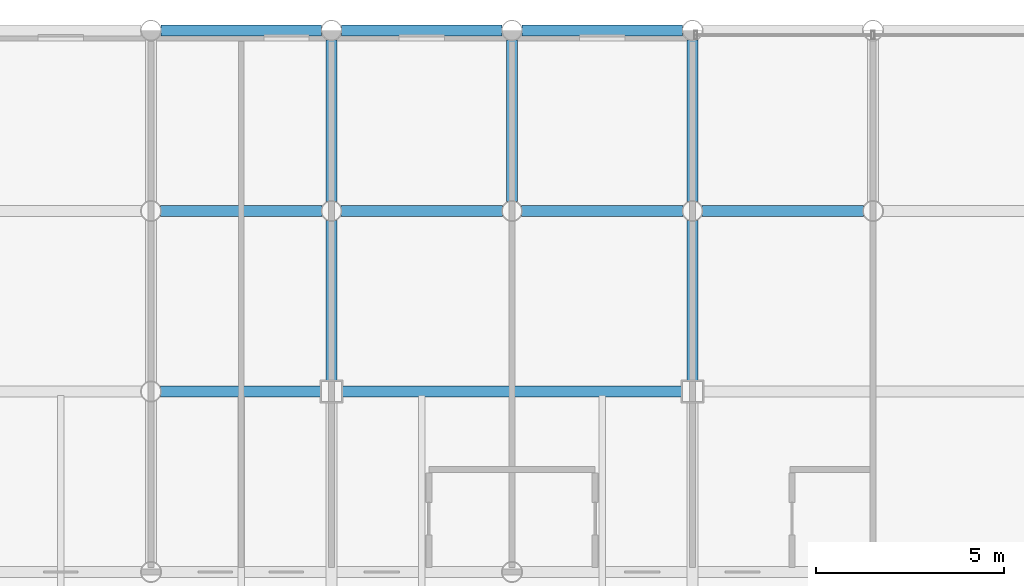
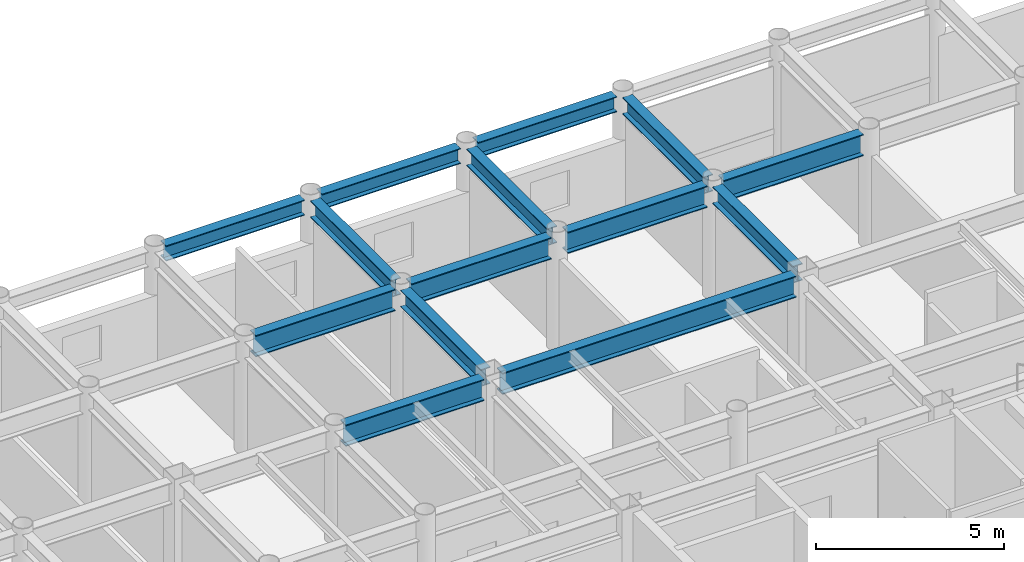
# One storey, part 13 of 22: 14 beams.
"""IFC4 building model written with IfcOpenShell, lengths in metres."""

from ifc_helpers import new_model, si_unit, direction, frame, origin, origin_2d, place, context, subcontext, project, spatial, i_section, extrude, material, material_profile, profile_set, type_object, element, save


model = new_model("IFC4")

# Units and contexts
model_context = context("Model", 3, precision=1e-05, world=origin(), true_north=direction((0.0, 1.0)))
body_context = subcontext(model_context, "Body", "Model", "MODEL_VIEW")
ifc_project = project(units=[si_unit("LENGTHUNIT", "METRE"), si_unit("AREAUNIT", "SQUARE_METRE"), si_unit("VOLUMEUNIT", "CUBIC_METRE"), si_unit("PLANEANGLEUNIT", "RADIAN"), si_unit("MASSUNIT", "GRAM", prefix="KILO")], contexts=[model_context])

# Site, building, storey
site_placement = place(None, origin())
site = spatial("IfcSite", under=ifc_project, at=site_placement, CompositionType="ELEMENT")
building_placement = place(site_placement, origin())
building = spatial("IfcBuilding", under=site, at=building_placement, Name="Kallvorn Hotel Tower", CompositionType="ELEMENT")
storey_placement = place(building_placement, frame((0.0, 0.0, 256.949951171875)))
storey = spatial("IfcBuildingStorey", under=building, at=storey_placement, Name="L64", CompositionType="ELEMENT", Elevation=256.949951171875)

# Beams
ifc_material_1 = material(Name="Structural steel S355JR", Category="steel")
ifc_material_profile_1 = material_profile(ifc_material_1, i_section(OverallWidth=0.300048828125, OverallDepth=0.5, WebThickness=0.014404296875, FlangeThickness=0.028076171875, at=origin_2d()), Name="HE 500 B")
ifc_profile_set_1 = profile_set([ifc_material_profile_1], Name="Structural steel S355JR")
beam_type_1 = type_object("IfcBeamType", Name="BM_HE500B", PredefinedType="SPANDREL", material=ifc_profile_set_1)
beam_1_placement = place(storey_placement, frame((-18.930419921875, 24.0, 3.420166015625), z_axis=(1.0, 0.0, 0.0), x_axis=(0.0, 1.0, 0.0)))
element("IfcBeam", 1, at=beam_1_placement, inside=storey, type_object=beam_type_1, Name="L65 Perimeter Spandrel 165", PredefinedType="SPANDREL", context=body_context, shape_type="SweptSolid", body=[
    extrude(i_section(OverallWidth=0.300048828125, OverallDepth=0.5, WebThickness=0.014404296875, FlangeThickness=0.028076171875, at=origin_2d()), origin(), (0.0, 0.0, 1.0), 4.260986328125),
])
beam_2_placement = place(storey_placement, frame((-14.130615234375, 24.0, 3.420166015625), z_axis=(1.0, 0.0, 0.0), x_axis=(0.0, 1.0, 0.0)))
element("IfcBeam", 2, at=beam_2_placement, inside=storey, type_object=beam_type_1, Name="L65 Perimeter Spandrel 166", PredefinedType="SPANDREL", context=body_context, shape_type="SweptSolid", body=[
    extrude(i_section(OverallWidth=0.300048828125, OverallDepth=0.5, WebThickness=0.014404296875, FlangeThickness=0.028076171875, at=origin_2d()), origin(), (0.0, 0.0, 1.0), 4.26123046875),
])
beam_3_placement = place(storey_placement, frame((-9.33056640625, 24.0, 3.420166015625), z_axis=(1.0, 0.0, 0.0), x_axis=(0.0, 1.0, 0.0)))
element("IfcBeam", 3, at=beam_3_placement, inside=storey, type_object=beam_type_1, Name="L65 Perimeter Spandrel 167", PredefinedType="SPANDREL", context=body_context, shape_type="SweptSolid", body=[
    extrude(i_section(OverallWidth=0.300048828125, OverallDepth=0.5, WebThickness=0.014404296875, FlangeThickness=0.028076171875, at=origin_2d()), origin(), (0.0, 0.0, 1.0), 4.260986328125),
])
ifc_material_2 = material(Name="Structural steel S355JR", Category="steel")
ifc_material_profile_2 = material_profile(ifc_material_2, i_section(OverallWidth=0.300048828125, OverallDepth=0.550048828125, WebThickness=0.014892578125, FlangeThickness=0.029052734375, at=origin_2d()), Name="HE 550 B")
ifc_profile_set_2 = profile_set([ifc_material_profile_2], Name="Structural steel S355JR")
beam_type_2 = type_object("IfcBeamType", Name="BM_HE550B", PredefinedType="SPANDREL", material=ifc_profile_set_2)
beam_4_placement = place(storey_placement, frame((-14.39990234375, 14.675048828125, 3.39501953125), z_axis=(0.0, 1.0, 0.0), x_axis=(-1.0, 0.0, 0.0)))
element("IfcBeam", 4, at=beam_4_placement, inside=storey, type_object=beam_type_2, Name="L65 Primary Y-Girder 101", PredefinedType="SPANDREL", context=body_context, shape_type="SweptSolid", body=[
    extrude(i_section(OverallWidth=0.300048828125, OverallDepth=0.550048828125, WebThickness=0.014892578125, FlangeThickness=0.029052734375, at=origin_2d()), origin(), (0.0, 0.0, 1.0), 4.2705078125),
])
for number, where, z_axis, x_axis, name in (
    (5, (-14.39990234375, 19.45458984375, 3.39501953125), (0.0, 1.0, 0.0), (-1.0, 0.0, 0.0), "L65 Primary Y-Girder 102"),
    (6, (-9.60009765625, 19.45458984375, 3.39501953125), (0.0, 1.0, 0.0), (-1.0, 0.0, 0.0), "L65 Primary Y-Girder 105"),
):
    element("IfcBeam", number, at=place(storey_placement, frame(where, z_axis=z_axis, x_axis=x_axis)), inside=storey, type_object=beam_type_2, Name=name, PredefinedType="SPANDREL", context=body_context, shape_type="SweptSolid", body=[
        extrude(i_section(OverallWidth=0.300048828125, OverallDepth=0.550048828125, WebThickness=0.014892578125, FlangeThickness=0.029052734375, at=origin_2d()), origin(), (0.0, 0.0, 1.0), 4.291015625),
    ])
beam_5_placement = place(storey_placement, frame((-4.800048828125, 14.675048828125, 3.39501953125), z_axis=(0.0, 1.0, 0.0), x_axis=(-1.0, 0.0, 0.0)))
element("IfcBeam", 7, at=beam_5_placement, inside=storey, type_object=beam_type_2, Name="L65 Primary Y-Girder 109", PredefinedType="SPANDREL", context=body_context, shape_type="SweptSolid", body=[
    extrude(i_section(OverallWidth=0.300048828125, OverallDepth=0.550048828125, WebThickness=0.014892578125, FlangeThickness=0.029052734375, at=origin_2d()), origin(), (0.0, 0.0, 1.0), 4.2705078125),
])
beam_6_placement = place(storey_placement, frame((-4.800048828125, 19.45458984375, 3.39501953125), z_axis=(0.0, 1.0, 0.0), x_axis=(-1.0, 0.0, 0.0)))
element("IfcBeam", 8, at=beam_6_placement, inside=storey, type_object=beam_type_2, Name="L65 Primary Y-Girder 110", PredefinedType="SPANDREL", context=body_context, shape_type="SweptSolid", body=[
    extrude(i_section(OverallWidth=0.300048828125, OverallDepth=0.550048828125, WebThickness=0.014892578125, FlangeThickness=0.029052734375, at=origin_2d()), origin(), (0.0, 0.0, 1.0), 4.291015625),
])
ifc_material_3 = material(Name="Structural steel S355JR", Category="steel")
ifc_material_profile_3 = material_profile(ifc_material_3, i_section(OverallWidth=0.300048828125, OverallDepth=0.699951171875, WebThickness=0.01708984375, FlangeThickness=0.031982421875, at=origin_2d()), Name="HE 700 B")
ifc_profile_set_3 = profile_set([ifc_material_profile_3], Name="Structural steel S355JR")
beam_type_3 = type_object("IfcBeamType", Name="BM_HE700B", PredefinedType="BEAM", material=ifc_profile_set_3)
beam_7_placement = place(storey_placement, frame((-18.945556640625, 14.39990234375, 3.320068359375), z_axis=(1.0, 0.0, 0.0), x_axis=(0.0, 1.0, 0.0)))
element("IfcBeam", 9, at=beam_7_placement, inside=storey, type_object=beam_type_3, Name="L65 Primary X-Girder 53", PredefinedType="BEAM", context=body_context, shape_type="SweptSolid", body=[
    extrude(i_section(OverallWidth=0.300048828125, OverallDepth=0.699951171875, WebThickness=0.01708984375, FlangeThickness=0.031982421875, at=origin_2d()), origin(), (0.0, 0.0, 1.0), 4.2705078125),
])
beam_8_placement = place(storey_placement, frame((-14.125, 14.39990234375, 3.320068359375), z_axis=(1.0, 0.0, 0.0), x_axis=(0.0, 1.0, 0.0)))
element("IfcBeam", 10, at=beam_8_placement, inside=storey, type_object=beam_type_3, Name="L65 Primary X-Girder 54", PredefinedType="BEAM", context=body_context, shape_type="SweptSolid", body=[
    extrude(i_section(OverallWidth=0.300048828125, OverallDepth=0.699951171875, WebThickness=0.01708984375, FlangeThickness=0.031982421875, at=origin_2d()), origin(), (0.0, 0.0, 1.0), 9.050048828125),
])
for number, where, z_axis, x_axis, name in (
    (11, (-18.945556640625, 19.199951171875, 3.320068359375), (1.0, 0.0, 0.0), (0.0, 1.0, 0.0), "L65 Primary X-Girder 63"),
    (12, (-14.1455078125, 19.199951171875, 3.320068359375), (1.0, 0.0, 0.0), (0.0, 1.0, 0.0), "L65 Primary X-Girder 64"),
    (13, (-9.345458984375, 19.199951171875, 3.320068359375), (1.0, 0.0, 0.0), (0.0, 1.0, 0.0), "L65 Primary X-Girder 65"),
    (14, (-4.54541015625, 19.199951171875, 3.320068359375), (1.0, 0.0, 0.0), (0.0, 1.0, 0.0), "L65 Primary X-Girder 66"),
):
    element("IfcBeam", number, at=place(storey_placement, frame(where, z_axis=z_axis, x_axis=x_axis)), inside=storey, type_object=beam_type_3, Name=name, PredefinedType="BEAM", context=body_context, shape_type="SweptSolid", body=[
        extrude(i_section(OverallWidth=0.300048828125, OverallDepth=0.699951171875, WebThickness=0.01708984375, FlangeThickness=0.031982421875, at=origin_2d()), origin(), (0.0, 0.0, 1.0), 4.291015625),
    ])

save(model, "model.ifc")
